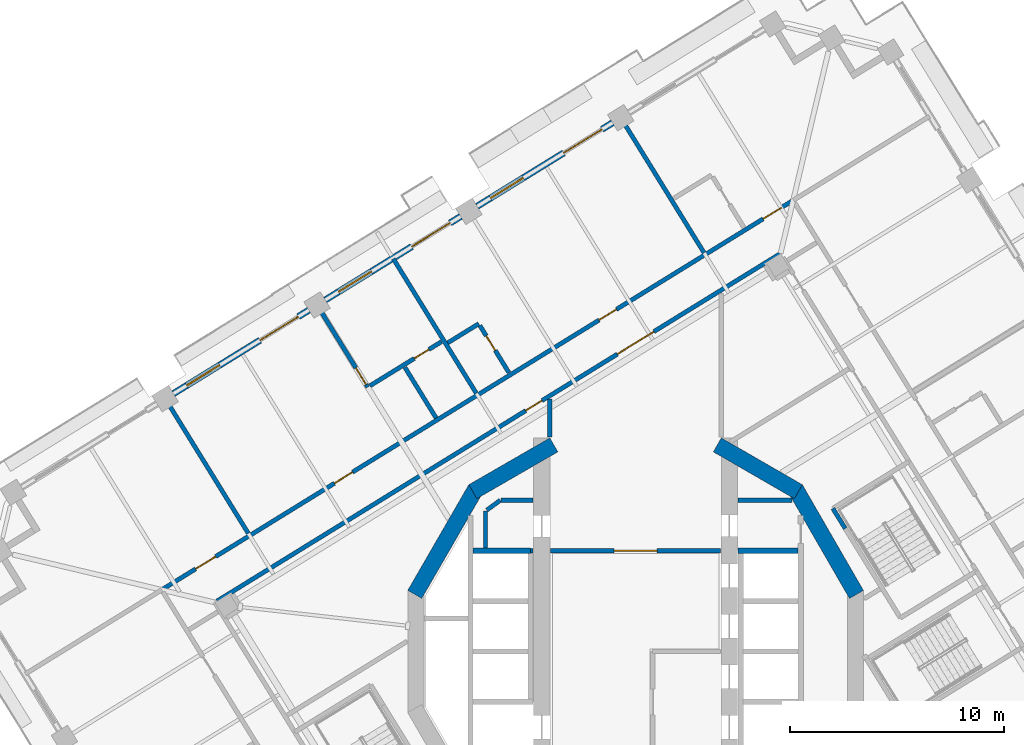
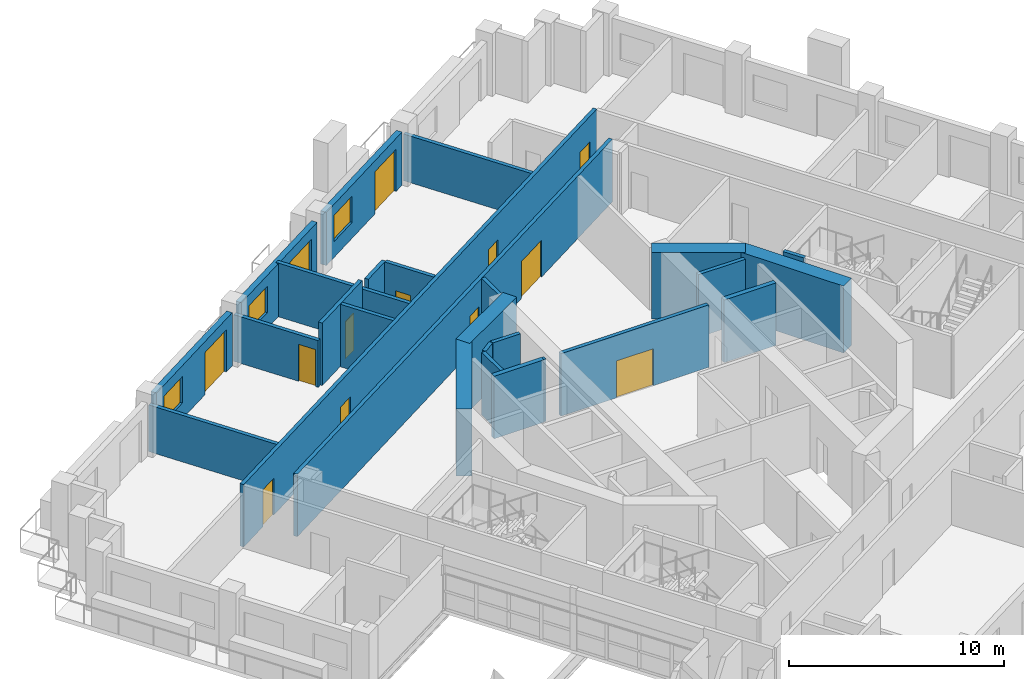
# One storey, part 11 of 22: 27 walls, 13 doors, 3 windows, 16 openings.
"""IFC4 building model written with IfcOpenShell, lengths in metres."""

from ifc_helpers import new_model, si_unit, direction, frame, frame_2d, origin, place, context, subcontext, project, spatial, rectangle, extrude, material, layer, layer_set, type_object, element, fill, save


model = new_model("IFC4")

# Units and contexts
model_context = context("Model", 3, precision=1e-05, world=origin(), true_north=direction((0.0, 1.0)))
body_context = subcontext(model_context, "Body", "Model", "MODEL_VIEW")
ifc_project = project(units=[si_unit("LENGTHUNIT", "METRE"), si_unit("AREAUNIT", "SQUARE_METRE"), si_unit("VOLUMEUNIT", "CUBIC_METRE"), si_unit("PLANEANGLEUNIT", "RADIAN"), si_unit("MASSUNIT", "GRAM", prefix="KILO")], contexts=[model_context])

# Site, building, storey
site_placement = place(None, origin())
site = spatial("IfcSite", under=ifc_project, at=site_placement, CompositionType="ELEMENT")
building_placement = place(site_placement, origin())
building = spatial("IfcBuilding", under=site, at=building_placement, Name="Cantera Rosa Tower", CompositionType="ELEMENT")
storey_placement = place(building_placement, frame((0.0, 0.0, 162.800048828125)))
storey = spatial("IfcBuildingStorey", under=building, at=storey_placement, Name="L35", CompositionType="ELEMENT", Elevation=162.800048828125)

# Wall
ifc_material_1 = material(Name="Gypsum board partition")
ifc_layer_1 = layer(ifc_material_1, 0.199951171875)
ifc_layer_set_1 = layer_set([ifc_layer_1], Name="CORRIDOR WALL 200 H3550")
wall_type_1 = type_object("IfcWallType", Name="CORRIDOR WALL 200 H3550", PredefinedType="PARTITIONING", material=ifc_layer_set_1)
wall_1_placement = place(storey_placement, frame((-4.0, 11.765625, 0.0), z_axis=(0.0, 0.0, 1.0), x_axis=(0.0, -1.0, 0.0)))
element("IfcWall", 1, at=wall_1_placement, inside=storey, type_object=wall_type_1, Name="CORRIDOR WALL L35-059", PredefinedType="PARTITIONING", context=body_context, shape_type="SweptSolid", body=[
    extrude(rectangle(XDim=1.771484375, YDim=0.199951171875, at=frame_2d((0.8857421875, 0.0))), origin(), (0.0, 0.0, 1.0), 3.550048828125),
])

# Wall, opening, door
wall_2_placement = place(storey_placement, frame((-3.969970703125, 4.699951171875, 0.0), z_axis=(0.0, 0.0, 1.0), x_axis=(1.0, 0.0, 0.0)))
wall_2 = element("IfcWall", 2, at=wall_2_placement, inside=storey, type_object=wall_type_1, Name="CORRIDOR WALL L35-060", PredefinedType="PARTITIONING", context=body_context, shape_type="SweptSolid", body=[
    extrude(rectangle(XDim=7.93994140625, YDim=0.199951171875, at=frame_2d((3.969970703125, 0.0))), origin(), (0.0, 0.0, 1.0), 3.550048828125),
])
opening_1_placement = place(wall_2_placement, frame((2.969970703125, 0.0, 0.0)))
opening_1 = element("IfcOpeningElement", 3, at=opening_1_placement, cuts=wall_2, Name="Opening L35-012", PredefinedType="OPENING", context=body_context, shape_type="SweptSolid", body=[
    extrude(rectangle(XDim=2.0, YDim=2.10009765625, at=frame_2d((1.0, 1.050048828125))), frame((0.0, 0.10986328125, 0.0), z_axis=(0.0, -1.0, 0.0), x_axis=(1.0, 0.0, 0.0)), (0.0, 0.0, 1.0), 0.219970703125),
])
ifc_material_2 = material(Name="Steel S355J2 (EN 10025-2)", Category="steel")
door_type_1 = type_object("IfcDoorType", Name="LOBBY SCREEN DOOR 2000x2100", OperationType="NOTDEFINED", PredefinedType="DOOR", material=ifc_material_2)
door_1_placement = place(opening_1_placement, origin())
door_1 = element("IfcDoor", 4, at=door_1_placement, inside=storey, type_object=door_type_1, Name="DOOR L35-012", OperationType="NOTDEFINED", OverallHeight=2.10009765625, OverallWidth=2.0, PredefinedType="DOOR", context=body_context, shape_type="SweptSolid", body=[
    extrude(rectangle(XDim=2.0, YDim=2.10009765625, at=frame_2d((1.0, 1.050048828125))), frame((0.0, 0.02490234375, 0.0), z_axis=(0.0, -1.0, 0.0), x_axis=(1.0, 0.0, 0.0)), (0.0, 0.0, 1.0), 0.050048828125),
])
fill(opening_1, door_1)

# Wall, openings, doors
wall_3_placement = place(storey_placement, frame((6.76123046875, 18.563232421875, 0.0), z_axis=(0.0, 0.0, 1.0), x_axis=(-0.851115762051, -0.524978056292, 0.0)))
wall_3 = element("IfcWall", 5, at=wall_3_placement, inside=storey, type_object=wall_type_1, Name="CORRIDOR WALL L35-086", PredefinedType="PARTITIONING", context=body_context, shape_type="SweptSolid", body=[
    extrude(rectangle(XDim=30.879638671875, YDim=0.199951171875, at=frame_2d((15.43994140625, 0.0))), origin(), (0.0, 0.0, 1.0), 3.550048828125),
])
opening_2_placement = place(wall_3_placement, frame((13.066650390625, 0.0, 0.0)))
opening_2 = element("IfcOpeningElement", 6, at=opening_2_placement, cuts=wall_3, Name="Opening L35-007", PredefinedType="OPENING", context=body_context, shape_type="SweptSolid", body=[
    extrude(rectangle(XDim=0.89990234375, YDim=2.10009765625, at=frame_2d((0.449951171875, 1.050048828125))), frame((0.0, 0.10986328125, 0.0), z_axis=(0.0, -1.0, 0.0), x_axis=(1.0, 0.0, 0.0)), (0.0, 0.0, 1.0), 0.219970703125),
])
opening_3_placement = place(wall_3_placement, frame((6.944091796875, 0.0, 0.0)))
opening_3 = element("IfcOpeningElement", 7, at=opening_3_placement, cuts=wall_3, Name="Opening L35-011", PredefinedType="OPENING", context=body_context, shape_type="SweptSolid", body=[
    extrude(rectangle(XDim=2.0, YDim=2.10009765625, at=frame_2d((1.0, 1.050048828125))), frame((0.0, 0.10986328125, 0.0), z_axis=(0.0, -1.0, 0.0), x_axis=(1.0, 0.0, 0.0)), (0.0, 0.0, 1.0), 0.219970703125),
])
door_2_placement = place(opening_3_placement, origin())
door_2 = element("IfcDoor", 8, at=door_2_placement, inside=storey, type_object=door_type_1, Name="DOOR L35-011", OperationType="NOTDEFINED", OverallHeight=2.10009765625, OverallWidth=2.0, PredefinedType="DOOR", context=body_context, shape_type="SweptSolid", body=[
    extrude(rectangle(XDim=2.0, YDim=2.10009765625, at=frame_2d((1.0, 1.050048828125))), frame((0.0, 0.02490234375, 0.0), z_axis=(0.0, -1.0, 0.0), x_axis=(1.0, 0.0, 0.0)), (0.0, 0.0, 1.0), 0.050048828125),
])
fill(opening_3, door_2)
ifc_material_3 = material(Name="Timber door leaf", Category="wood")
door_type_2 = type_object("IfcDoorType", Name="SERVICE DOOR 900x2100", OperationType="NOTDEFINED", PredefinedType="DOOR", material=ifc_material_3)
door_3_placement = place(opening_2_placement, origin())
door_3 = element("IfcDoor", 9, at=door_3_placement, inside=storey, type_object=door_type_2, Name="DOOR L35-007", OperationType="NOTDEFINED", OverallHeight=2.10009765625, OverallWidth=0.89990234375, PredefinedType="DOOR", context=body_context, shape_type="SweptSolid", body=[
    extrude(rectangle(XDim=0.89990234375, YDim=2.10009765625, at=frame_2d((0.449951171875, 1.050048828125))), frame((0.0, 0.02490234375, 0.0), z_axis=(0.0, -1.0, 0.0), x_axis=(1.0, 0.0, 0.0)), (0.0, 0.0, 1.0), 0.050048828125),
])
fill(opening_2, door_3)

wall_4_placement = place(storey_placement, frame((7.348388671875, 21.040283203125, 0.0), z_axis=(0.0, 0.0, 1.0), x_axis=(-0.85111711572, -0.524975861662, 0.0)))
wall_4 = element("IfcWall", 10, at=wall_4_placement, inside=storey, type_object=wall_type_1, Name="CORRIDOR WALL L35-090", PredefinedType="PARTITIONING", context=body_context, shape_type="SweptSolid", body=[
    extrude(rectangle(XDim=34.599853515625, YDim=0.199951171875, at=frame_2d((17.2998046875, 0.0))), origin(), (0.0, 0.0, 1.0), 3.550048828125),
])
opening_4_placement = place(wall_4_placement, frame((9.68505859375, 0.0, 0.0)))
opening_4 = element("IfcOpeningElement", 11, at=opening_4_placement, cuts=wall_4, Name="Opening L35-028", PredefinedType="OPENING", context=body_context, shape_type="SweptSolid", body=[
    extrude(rectangle(XDim=0.949951171875, YDim=2.10009765625, at=frame_2d((0.47509765625, 1.050048828125))), frame((0.0, 0.10986328125, 0.0), z_axis=(0.0, -1.0, 0.0), x_axis=(1.0, 0.0, 0.0)), (0.0, 0.0, 1.0), 0.219970703125),
])
opening_5_placement = place(wall_4_placement, frame((24.139892578125, 0.0, 0.0)))
opening_5 = element("IfcOpeningElement", 12, at=opening_5_placement, cuts=wall_4, Name="Opening L35-030", PredefinedType="OPENING", context=body_context, shape_type="SweptSolid", body=[
    extrude(rectangle(XDim=1.0, YDim=2.10009765625, at=frame_2d((0.5, 1.050048828125))), frame((0.0, 0.10986328125, 0.0), z_axis=(0.0, -1.0, 0.0), x_axis=(1.0, 0.0, 0.0)), (0.0, 0.0, 1.0), 0.219970703125),
])
opening_6_placement = place(wall_4_placement, frame((0.64990234375, 0.0, 0.0)))
opening_6 = element("IfcOpeningElement", 13, at=opening_6_placement, cuts=wall_4, Name="Opening L35-033", PredefinedType="OPENING", context=body_context, shape_type="SweptSolid", body=[
    extrude(rectangle(XDim=1.0, YDim=2.10009765625, at=frame_2d((0.5, 1.050048828125))), frame((0.0, 0.10986328125, 0.0), z_axis=(0.0, -1.0, 0.0), x_axis=(1.0, 0.0, 0.0)), (0.0, 0.0, 1.0), 0.219970703125),
])
opening_7_placement = place(wall_4_placement, frame((31.639892578125, 0.0, 0.0)))
opening_7 = element("IfcOpeningElement", 14, at=opening_7_placement, cuts=wall_4, Name="Opening L35-035", PredefinedType="OPENING", context=body_context, shape_type="SweptSolid", body=[
    extrude(rectangle(XDim=1.10009765625, YDim=2.10009765625, at=frame_2d((0.550048828125, 1.050048828125))), frame((0.0, 0.10986328125, 0.0), z_axis=(0.0, -1.0, 0.0), x_axis=(1.0, 0.0, 0.0)), (0.0, 0.0, 1.0), 0.219970703125),
])
ifc_material_4 = material(Name="Timber door leaf", Category="wood")
door_type_3 = type_object("IfcDoorType", Name="ENTRANCE DOOR 1000x2100", OperationType="NOTDEFINED", PredefinedType="DOOR", material=ifc_material_4)
door_4_placement = place(opening_5_placement, origin())
door_4 = element("IfcDoor", 15, at=door_4_placement, inside=storey, type_object=door_type_3, Name="DOOR L35-030", OperationType="NOTDEFINED", OverallHeight=2.10009765625, OverallWidth=1.0, PredefinedType="DOOR", context=body_context, shape_type="SweptSolid", body=[
    extrude(rectangle(XDim=1.0, YDim=2.10009765625, at=frame_2d((0.5, 1.050048828125))), frame((0.0, 0.02490234375, 0.0), z_axis=(0.0, -1.0, 0.0), x_axis=(1.0, 0.0, 0.0)), (0.0, 0.0, 1.0), 0.050048828125),
])
fill(opening_5, door_4)
door_5_placement = place(opening_6_placement, origin())
door_5 = element("IfcDoor", 16, at=door_5_placement, inside=storey, type_object=door_type_3, Name="DOOR L35-033", OperationType="NOTDEFINED", OverallHeight=2.10009765625, OverallWidth=1.0, PredefinedType="DOOR", context=body_context, shape_type="SweptSolid", body=[
    extrude(rectangle(XDim=1.0, YDim=2.10009765625, at=frame_2d((0.5, 1.050048828125))), frame((0.0, 0.02490234375, 0.0), z_axis=(0.0, -1.0, 0.0), x_axis=(1.0, 0.0, 0.0)), (0.0, 0.0, 1.0), 0.050048828125),
])
fill(opening_6, door_5)
ifc_material_5 = material(Name="Timber door leaf", Category="wood")
door_type_4 = type_object("IfcDoorType", Name="ROOM DOOR 1100x2100", OperationType="NOTDEFINED", PredefinedType="DOOR", material=ifc_material_5)
door_6_placement = place(opening_7_placement, origin())
door_6 = element("IfcDoor", 17, at=door_6_placement, inside=storey, type_object=door_type_4, Name="DOOR L35-035", OperationType="NOTDEFINED", OverallHeight=2.10009765625, OverallWidth=1.10009765625, PredefinedType="DOOR", context=body_context, shape_type="SweptSolid", body=[
    extrude(rectangle(XDim=1.10009765625, YDim=2.10009765625, at=frame_2d((0.550048828125, 1.050048828125))), frame((0.0, 0.02490234375, 0.0), z_axis=(0.0, -1.0, 0.0), x_axis=(1.0, 0.0, 0.0)), (0.0, 0.0, 1.0), 0.050048828125),
])
fill(opening_7, door_6)
ifc_material_6 = material(Name="Timber door leaf", Category="wood")
door_type_5 = type_object("IfcDoorType", Name="ROOM DOOR 950x2100", OperationType="NOTDEFINED", PredefinedType="DOOR", material=ifc_material_6)
door_7_placement = place(opening_4_placement, origin())
door_7 = element("IfcDoor", 18, at=door_7_placement, inside=storey, type_object=door_type_5, Name="DOOR L35-028", OperationType="NOTDEFINED", OverallHeight=2.10009765625, OverallWidth=0.949951171875, PredefinedType="DOOR", context=body_context, shape_type="SweptSolid", body=[
    extrude(rectangle(XDim=0.949951171875, YDim=2.10009765625, at=frame_2d((0.47509765625, 1.050048828125))), frame((0.0, 0.02490234375, 0.0), z_axis=(0.0, -1.0, 0.0), x_axis=(1.0, 0.0, 0.0)), (0.0, 0.0, 1.0), 0.050048828125),
])
fill(opening_4, door_7)

# Wall, openings, window, door
ifc_material_7 = material(Name="Hollow clay masonry with cantera stone cladding", Category="masonry")
ifc_layer_2 = layer(ifc_material_7, 0.300048828125)
ifc_layer_set_2 = layer_set([ifc_layer_2], Name="EW-LOGGIA 300 H3020")
wall_type_2 = type_object("IfcWallType", Name="EW-LOGGIA 300 H3020", PredefinedType="SOLIDWALL", material=ifc_layer_set_2)
wall_5_placement = place(storey_placement, frame((-1.07421875, 24.656982421875, 0.0), z_axis=(0.0, 0.0, 1.0), x_axis=(-0.85112578684, -0.524961803349, 0.0)))
wall_5 = element("IfcWall", 19, at=wall_5_placement, inside=storey, type_object=wall_type_2, Name="EN-L35-W09", PredefinedType="SOLIDWALL", context=body_context, shape_type="SweptSolid", body=[
    extrude(rectangle(XDim=7.420166015625, YDim=0.300048828125, at=frame_2d((3.7099609375, 0.0))), origin(), (0.0, 0.0, 1.0), 3.02001953125),
])
opening_8_placement = place(wall_5_placement, frame((0.580078125, 0.0, 0.0)))
opening_8 = element("IfcOpeningElement", 20, at=opening_8_placement, cuts=wall_5, Name="Opening L35-TD13", PredefinedType="OPENING", context=body_context, shape_type="SweptSolid", body=[
    extrude(rectangle(XDim=2.10009765625, YDim=2.39990234375, at=frame_2d((1.050048828125, 1.199951171875))), frame((0.0, 0.159912109375, 0.0), z_axis=(0.0, -1.0, 0.0), x_axis=(1.0, 0.0, 0.0)), (0.0, 0.0, 1.0), 0.320068359375),
])
opening_9_placement = place(wall_5_placement, frame((4.889892578125, 0.0, 0.89990234375)))
opening_9 = element("IfcOpeningElement", 21, at=opening_9_placement, cuts=wall_5, Name="Opening L35-W14", PredefinedType="OPENING", context=body_context, shape_type="SweptSolid", body=[
    extrude(rectangle(XDim=1.800048828125, YDim=1.5, at=frame_2d((0.89990234375, 0.75))), frame((0.0, 0.159912109375, 0.0), z_axis=(0.0, -1.0, 0.0), x_axis=(1.0, 0.0, 0.0)), (0.0, 0.0, 1.0), 0.320068359375),
])
ifc_material_8 = material(Name="Aluminium frame with clear glass", Category="aluminium")
window_type = type_object("IfcWindowType", Name="Hotel room window 1800x1500", PartitioningType="DOUBLE_PANEL_VERTICAL", PredefinedType="WINDOW", material=ifc_material_8)
window_1_placement = place(opening_9_placement, origin())
window_1 = element("IfcWindow", 22, at=window_1_placement, inside=storey, type_object=window_type, Name="WINDOW L35-W14", OverallHeight=1.5, OverallWidth=1.800048828125, PartitioningType="SINGLE_PANEL", PredefinedType="WINDOW", context=body_context, shape_type="SweptSolid", body=[
    extrude(rectangle(XDim=1.800048828125, YDim=1.5, at=frame_2d((0.89990234375, 0.75))), frame((0.0, 0.030029296875, 0.0), z_axis=(0.0, -1.0, 0.0), x_axis=(1.0, 0.0, 0.0)), (0.0, 0.0, 1.0), 0.06005859375),
])
fill(opening_9, window_1)
ifc_material_9 = material(Name="Aluminium frame with clear glass", Category="aluminium")
door_type_6 = type_object("IfcDoorType", Name="TD-H 2100x2400", OperationType="NOTDEFINED", PredefinedType="DOOR", material=ifc_material_9)
door_8_placement = place(opening_8_placement, origin())
door_8 = element("IfcDoor", 23, at=door_8_placement, inside=storey, type_object=door_type_6, Name="LOGGIA DOOR L35-TD13", OperationType="SLIDING_TO_LEFT", OverallHeight=2.39990234375, OverallWidth=2.10009765625, PredefinedType="DOOR", context=body_context, shape_type="SweptSolid", body=[
    extrude(rectangle(XDim=2.10009765625, YDim=2.39990234375, at=frame_2d((1.050048828125, 1.199951171875))), frame((0.0, 0.02490234375, 0.0), z_axis=(0.0, -1.0, 0.0), x_axis=(1.0, 0.0, 0.0)), (0.0, 0.0, 1.0), 0.050048828125),
])
fill(opening_8, door_8)

wall_6_placement = place(storey_placement, frame((-8.155517578125, 20.289306640625, 0.0), z_axis=(0.0, 0.0, 1.0), x_axis=(-0.851111085575, -0.524985637909, 0.0)))
wall_6 = element("IfcWall", 24, at=wall_6_placement, inside=storey, type_object=wall_type_2, Name="EN-L35-W10", PredefinedType="SOLIDWALL", context=body_context, shape_type="SweptSolid", body=[
    extrude(rectangle(XDim=7.420166015625, YDim=0.300048828125, at=frame_2d((3.7099609375, 0.0))), origin(), (0.0, 0.0, 1.0), 3.02001953125),
])
opening_10_placement = place(wall_6_placement, frame((0.580078125, 0.0, 0.0)))
opening_10 = element("IfcOpeningElement", 25, at=opening_10_placement, cuts=wall_6, Name="Opening L35-TD15", PredefinedType="OPENING", context=body_context, shape_type="SweptSolid", body=[
    extrude(rectangle(XDim=2.10009765625, YDim=2.39990234375, at=frame_2d((1.050048828125, 1.199951171875))), frame((0.0, 0.159912109375, 0.0), z_axis=(0.0, -1.0, 0.0), x_axis=(1.0, 0.0, 0.0)), (0.0, 0.0, 1.0), 0.320068359375),
])
opening_11_placement = place(wall_6_placement, frame((4.889892578125, 0.0, 0.89990234375)))
opening_11 = element("IfcOpeningElement", 26, at=opening_11_placement, cuts=wall_6, Name="Opening L35-W16", PredefinedType="OPENING", context=body_context, shape_type="SweptSolid", body=[
    extrude(rectangle(XDim=1.800048828125, YDim=1.5, at=frame_2d((0.89990234375, 0.75))), frame((0.0, 0.159912109375, 0.0), z_axis=(0.0, -1.0, 0.0), x_axis=(1.0, 0.0, 0.0)), (0.0, 0.0, 1.0), 0.320068359375),
])
window_2_placement = place(opening_11_placement, origin())
window_2 = element("IfcWindow", 27, at=window_2_placement, inside=storey, type_object=window_type, Name="WINDOW L35-W16", OverallHeight=1.5, OverallWidth=1.800048828125, PartitioningType="SINGLE_PANEL", PredefinedType="WINDOW", context=body_context, shape_type="SweptSolid", body=[
    extrude(rectangle(XDim=1.800048828125, YDim=1.5, at=frame_2d((0.89990234375, 0.75))), frame((0.0, 0.030029296875, 0.0), z_axis=(0.0, -1.0, 0.0), x_axis=(1.0, 0.0, 0.0)), (0.0, 0.0, 1.0), 0.06005859375),
])
fill(opening_11, window_2)
door_9_placement = place(opening_10_placement, origin())
door_9 = element("IfcDoor", 28, at=door_9_placement, inside=storey, type_object=door_type_6, Name="LOGGIA DOOR L35-TD15", OperationType="SLIDING_TO_LEFT", OverallHeight=2.39990234375, OverallWidth=2.10009765625, PredefinedType="DOOR", context=body_context, shape_type="SweptSolid", body=[
    extrude(rectangle(XDim=2.10009765625, YDim=2.39990234375, at=frame_2d((1.050048828125, 1.199951171875))), frame((0.0, 0.02490234375, 0.0), z_axis=(0.0, -1.0, 0.0), x_axis=(1.0, 0.0, 0.0)), (0.0, 0.0, 1.0), 0.050048828125),
])
fill(opening_10, door_9)

wall_7_placement = place(storey_placement, frame((-15.23681640625, 15.92138671875, 0.0), z_axis=(0.0, 0.0, 1.0), x_axis=(-0.85112578684, -0.524961803349, 0.0)))
wall_7 = element("IfcWall", 29, at=wall_7_placement, inside=storey, type_object=wall_type_2, Name="EN-L35-W11", PredefinedType="SOLIDWALL", context=body_context, shape_type="SweptSolid", body=[
    extrude(rectangle(XDim=7.420166015625, YDim=0.300048828125, at=frame_2d((3.7099609375, 0.0))), origin(), (0.0, 0.0, 1.0), 3.02001953125),
])
opening_12_placement = place(wall_7_placement, frame((0.580078125, 0.0, 0.0)))
opening_12 = element("IfcOpeningElement", 30, at=opening_12_placement, cuts=wall_7, Name="Opening L35-TD17", PredefinedType="OPENING", context=body_context, shape_type="SweptSolid", body=[
    extrude(rectangle(XDim=2.10009765625, YDim=2.39990234375, at=frame_2d((1.050048828125, 1.199951171875))), frame((0.0, 0.159912109375, 0.0), z_axis=(0.0, -1.0, 0.0), x_axis=(1.0, 0.0, 0.0)), (0.0, 0.0, 1.0), 0.320068359375),
])
opening_13_placement = place(wall_7_placement, frame((4.889892578125, 0.0, 0.89990234375)))
opening_13 = element("IfcOpeningElement", 31, at=opening_13_placement, cuts=wall_7, Name="Opening L35-W18", PredefinedType="OPENING", context=body_context, shape_type="SweptSolid", body=[
    extrude(rectangle(XDim=1.800048828125, YDim=1.5, at=frame_2d((0.89990234375, 0.75))), frame((0.0, 0.159912109375, 0.0), z_axis=(0.0, -1.0, 0.0), x_axis=(1.0, 0.0, 0.0)), (0.0, 0.0, 1.0), 0.320068359375),
])
window_3_placement = place(opening_13_placement, origin())
window_3 = element("IfcWindow", 32, at=window_3_placement, inside=storey, type_object=window_type, Name="WINDOW L35-W18", OverallHeight=1.5, OverallWidth=1.800048828125, PartitioningType="SINGLE_PANEL", PredefinedType="WINDOW", context=body_context, shape_type="SweptSolid", body=[
    extrude(rectangle(XDim=1.800048828125, YDim=1.5, at=frame_2d((0.89990234375, 0.75))), frame((0.0, 0.030029296875, 0.0), z_axis=(0.0, -1.0, 0.0), x_axis=(1.0, 0.0, 0.0)), (0.0, 0.0, 1.0), 0.06005859375),
])
fill(opening_13, window_3)
door_10_placement = place(opening_12_placement, origin())
door_10 = element("IfcDoor", 33, at=door_10_placement, inside=storey, type_object=door_type_6, Name="LOGGIA DOOR L35-TD17", OperationType="SLIDING_TO_LEFT", OverallHeight=2.39990234375, OverallWidth=2.10009765625, PredefinedType="DOOR", context=body_context, shape_type="SweptSolid", body=[
    extrude(rectangle(XDim=2.10009765625, YDim=2.39990234375, at=frame_2d((1.050048828125, 1.199951171875))), frame((0.0, 0.02490234375, 0.0), z_axis=(0.0, -1.0, 0.0), x_axis=(1.0, 0.0, 0.0)), (0.0, 0.0, 1.0), 0.050048828125),
])
fill(opening_12, door_10)

# Wall, opening, door
ifc_material_10 = material(Name="Gypsum board partition")
ifc_layer_3 = layer(ifc_material_10, 0.199951171875)
ifc_layer_set_3 = layer_set([ifc_layer_3], Name="PARTITION 200 H2650")
wall_type_3 = type_object("IfcWallType", Name="PARTITION 200 H2650", PredefinedType="PARTITIONING", material=ifc_layer_set_3)
wall_8_placement = place(storey_placement, frame((-12.491455078125, 12.32763671875, 0.0), z_axis=(0.0, 0.0, 1.0), x_axis=(-0.524986965499, 0.851110266685, 0.0)))
wall_8 = element("IfcWall", 34, at=wall_8_placement, inside=storey, type_object=wall_type_3, Name="PARTITION L35-019", PredefinedType="PARTITIONING", context=body_context, shape_type="SweptSolid", body=[
    extrude(rectangle(XDim=4.469970703125, YDim=0.199951171875, at=frame_2d((2.23486328125, 0.0))), origin(), (0.0, 0.0, 1.0), 2.64990234375),
])
opening_14_placement = place(wall_8_placement, frame((0.14990234375, 0.0, 0.0)))
opening_14 = element("IfcOpeningElement", 35, at=opening_14_placement, cuts=wall_8, Name="Opening L35-031", PredefinedType="OPENING", context=body_context, shape_type="SweptSolid", body=[
    extrude(rectangle(XDim=0.89990234375, YDim=2.10009765625, at=frame_2d((0.449951171875, 1.050048828125))), frame((0.0, 0.10986328125, 0.0), z_axis=(0.0, -1.0, 0.0), x_axis=(1.0, 0.0, 0.0)), (0.0, 0.0, 1.0), 0.219970703125),
])
ifc_material_11 = material(Name="Timber door leaf", Category="wood")
door_type_7 = type_object("IfcDoorType", Name="ROOM DOOR 900x2100", OperationType="NOTDEFINED", PredefinedType="DOOR", material=ifc_material_11)
door_11_placement = place(opening_14_placement, origin())
door_11 = element("IfcDoor", 36, at=door_11_placement, inside=storey, type_object=door_type_7, Name="DOOR L35-031", OperationType="NOTDEFINED", OverallHeight=2.10009765625, OverallWidth=0.89990234375, PredefinedType="DOOR", context=body_context, shape_type="SweptSolid", body=[
    extrude(rectangle(XDim=0.89990234375, YDim=2.10009765625, at=frame_2d((0.449951171875, 1.050048828125))), frame((0.0, 0.02490234375, 0.0), z_axis=(0.0, -1.0, 0.0), x_axis=(1.0, 0.0, 0.0)), (0.0, 0.0, 1.0), 0.050048828125),
])
fill(opening_14, door_11)

# Wall
ifc_material_12 = material(Name="Gypsum board partition")
ifc_layer_4 = layer(ifc_material_12, 0.199951171875)
ifc_layer_set_4 = layer_set([ifc_layer_4], Name="PARTITION 200 H3550")
wall_type_4 = type_object("IfcWallType", Name="PARTITION 200 H3550", PredefinedType="PARTITIONING", material=ifc_layer_set_4)
wall_9_placement = place(storey_placement, frame((-9.30078125, 10.888427734375, 0.0), z_axis=(0.0, 0.0, 1.0), x_axis=(-0.525008529336, 0.851096965172, 0.0)))
element("IfcWall", 37, at=wall_9_placement, inside=storey, type_object=wall_type_4, Name="PARTITION L35-026", PredefinedType="PARTITIONING", context=body_context, shape_type="SweptSolid", body=[
    extrude(rectangle(XDim=2.77978515625, YDim=0.199951171875, at=frame_2d((1.389892578125, 0.0))), origin(), (0.0, 0.0, 1.0), 3.550048828125),
])

# Wall, opening, door
wall_10_placement = place(storey_placement, frame((-9.052978515625, 14.448486328125, 0.0), z_axis=(0.0, 0.0, 1.0), x_axis=(-0.851125418934, -0.524962399839, 0.0)))
wall_10 = element("IfcWall", 38, at=wall_10_placement, inside=storey, type_object=wall_type_4, Name="PARTITION L35-028", PredefinedType="PARTITIONING", context=body_context, shape_type="SweptSolid", body=[
    extrude(rectangle(XDim=3.919921875, YDim=0.199951171875, at=frame_2d((1.9599609375, 0.0))), origin(), (0.0, 0.0, 1.0), 3.550048828125),
])
opening_15_placement = place(wall_10_placement, frame((0.68994140625, 0.0, 0.0)))
opening_15 = element("IfcOpeningElement", 39, at=opening_15_placement, cuts=wall_10, Name="Opening L35-032", PredefinedType="OPENING", context=body_context, shape_type="SweptSolid", body=[
    extrude(rectangle(XDim=0.800048828125, YDim=2.10009765625, at=frame_2d((0.39990234375, 1.050048828125))), frame((0.0, 0.10986328125, 0.0), z_axis=(0.0, -1.0, 0.0), x_axis=(1.0, 0.0, 0.0)), (0.0, 0.0, 1.0), 0.219970703125),
])
ifc_material_13 = material(Name="Timber door leaf", Category="wood")
door_type_8 = type_object("IfcDoorType", Name="BATHROOM DOOR 800x2100", OperationType="NOTDEFINED", PredefinedType="DOOR", material=ifc_material_13)
door_12_placement = place(opening_15_placement, origin())
door_12 = element("IfcDoor", 40, at=door_12_placement, inside=storey, type_object=door_type_8, Name="DOOR L35-032", OperationType="NOTDEFINED", OverallHeight=2.10009765625, OverallWidth=0.800048828125, PredefinedType="DOOR", context=body_context, shape_type="SweptSolid", body=[
    extrude(rectangle(XDim=0.800048828125, YDim=2.10009765625, at=frame_2d((0.39990234375, 1.050048828125))), frame((0.0, 0.02490234375, 0.0), z_axis=(0.0, -1.0, 0.0), x_axis=(1.0, 0.0, 0.0)), (0.0, 0.0, 1.0), 0.050048828125),
])
fill(opening_15, door_12)

# Wall
wall_11_placement = place(storey_placement, frame((-8.7607421875, 14.393798828125, 0.0), z_axis=(0.0, 0.0, 1.0), x_axis=(0.851105638601, 0.524994468487, 0.0)))
element("IfcWall", 41, at=wall_11_placement, inside=storey, type_object=wall_type_4, Name="PARTITION L35-029", PredefinedType="PARTITIONING", context=body_context, shape_type="SweptSolid", body=[
    extrude(rectangle(XDim=1.7001953125, YDim=0.199951171875, at=frame_2d((0.85009765625, 0.0))), origin(), (0.0, 0.0, 1.0), 3.550048828125),
])

# Wall, opening, door
wall_12_placement = place(storey_placement, frame((-7.26123046875, 15.201171875, 0.0), z_axis=(0.0, 0.0, 1.0), x_axis=(0.524936695429, -0.851141272523, 0.0)))
wall_12 = element("IfcWall", 42, at=wall_12_placement, inside=storey, type_object=wall_type_4, Name="PARTITION L35-041", PredefinedType="PARTITIONING", context=body_context, shape_type="SweptSolid", body=[
    extrude(rectangle(XDim=2.579833984375, YDim=0.199951171875, at=frame_2d((1.2900390625, 0.0))), origin(), (0.0, 0.0, 1.0), 3.550048828125),
])
opening_16_placement = place(wall_12_placement, frame((0.56396484375, 0.0, 0.0)))
opening_16 = element("IfcOpeningElement", 43, at=opening_16_placement, cuts=wall_12, Name="Opening L35-029", PredefinedType="OPENING", context=body_context, shape_type="SweptSolid", body=[
    extrude(rectangle(XDim=0.800048828125, YDim=2.10009765625, at=frame_2d((0.39990234375, 1.050048828125))), frame((0.0, 0.10986328125, 0.0), z_axis=(0.0, -1.0, 0.0), x_axis=(1.0, 0.0, 0.0)), (0.0, 0.0, 1.0), 0.219970703125),
])
door_13_placement = place(opening_16_placement, origin())
door_13 = element("IfcDoor", 44, at=door_13_placement, inside=storey, type_object=door_type_8, Name="DOOR L35-029", OperationType="NOTDEFINED", OverallHeight=2.10009765625, OverallWidth=0.800048828125, PredefinedType="DOOR", context=body_context, shape_type="SweptSolid", body=[
    extrude(rectangle(XDim=0.800048828125, YDim=2.10009765625, at=frame_2d((0.39990234375, 1.050048828125))), frame((0.0, 0.02490234375, 0.0), z_axis=(0.0, -1.0, 0.0), x_axis=(1.0, 0.0, 0.0)), (0.0, 0.0, 1.0), 0.050048828125),
])
fill(opening_16, door_13)

# Walls
wall_13_placement = place(storey_placement, frame((-7.0, 4.824951171875, 0.0), z_axis=(0.0, 0.0, 1.0), x_axis=(0.0, 1.0, 0.0)))
element("IfcWall", 45, at=wall_13_placement, inside=storey, type_object=wall_type_4, Name="PARTITION L35-044", PredefinedType="PARTITIONING", context=body_context, shape_type="SweptSolid", body=[
    extrude(rectangle(XDim=1.72509765625, YDim=0.199951171875, at=frame_2d((0.862548828125, 0.0))), origin(), (0.0, 0.0, 1.0), 3.550048828125),
])
wall_14_placement = place(storey_placement, frame((-6.935302734375, 6.59716796875, 0.0), z_axis=(0.0, 0.0, 1.0), x_axis=(0.808227862651, 0.588869868506, 0.0)))
element("IfcWall", 46, at=wall_14_placement, inside=storey, type_object=wall_type_4, Name="PARTITION L35-045", PredefinedType="PARTITIONING", context=body_context, shape_type="SweptSolid", body=[
    extrude(rectangle(XDim=0.76904296875, YDim=0.199951171875, at=frame_2d((0.384521484375, 0.0))), origin(), (0.0, 0.0, 1.0), 3.550048828125),
])
wall_15_placement = place(storey_placement, frame((-6.273681640625, 7.050048828125, 0.0), z_axis=(0.0, 0.0, 1.0), x_axis=(1.0, 0.0, 0.0)))
element("IfcWall", 47, at=wall_15_placement, inside=storey, type_object=wall_type_4, Name="PARTITION L35-049", PredefinedType="PARTITIONING", context=body_context, shape_type="SweptSolid", body=[
    extrude(rectangle(XDim=1.49365234375, YDim=0.199951171875, at=frame_2d((0.746826171875, 0.0))), origin(), (0.0, 0.0, 1.0), 3.550048828125),
])
wall_16_placement = place(storey_placement, frame((-4.780029296875, 4.699951171875, 0.0), z_axis=(0.0, 0.0, 1.0), x_axis=(-1.0, 0.0, 0.0)))
element("IfcWall", 48, at=wall_16_placement, inside=storey, type_object=wall_type_4, Name="PARTITION L35-054", PredefinedType="PARTITIONING", context=body_context, shape_type="SweptSolid", body=[
    extrude(rectangle(XDim=0.119873046875, YDim=0.199951171875, at=frame_2d((0.06005859375, 0.0))), origin(), (0.0, 0.0, 1.0), 3.550048828125),
])
wall_17_placement = place(storey_placement, frame((4.780029296875, 7.050048828125, 0.0), z_axis=(0.0, 0.0, 1.0), x_axis=(1.0, 0.0, 0.0)))
element("IfcWall", 49, at=wall_17_placement, inside=storey, type_object=wall_type_4, Name="PARTITION L35-081", PredefinedType="PARTITIONING", context=body_context, shape_type="SweptSolid", body=[
    extrude(rectangle(XDim=2.517822265625, YDim=0.199951171875, at=frame_2d((1.2587890625, 0.0))), origin(), (0.0, 0.0, 1.0), 3.550048828125),
])
ifc_material_14 = material(Name="Gypsum board partition")
ifc_layer_5 = layer(ifc_material_14, 0.199951171875)
ifc_layer_set_5 = layer_set([ifc_layer_5], Name="PARTY WALL 200 H2650")
wall_type_5 = type_object("IfcWallType", Name="PARTY WALL 200 H2650", PredefinedType="PARTITIONING", material=ifc_layer_set_5)
wall_18_placement = place(storey_placement, frame((-18.060791015625, 5.508544921875, 0.0), z_axis=(0.0, 0.0, 1.0), x_axis=(-0.524973728225, 0.851118431638, 0.0)))
element("IfcWall", 50, at=wall_18_placement, inside=storey, type_object=wall_type_5, Name="PARTY WALL L35-012", PredefinedType="PARTITIONING", context=body_context, shape_type="SweptSolid", body=[
    extrude(rectangle(XDim=7.35009765625, YDim=0.199951171875, at=frame_2d((3.675048828125, 0.0))), origin(), (0.0, 0.0, 1.0), 2.64990234375),
])
wall_19_placement = place(storey_placement, frame((-0.675537109375, 24.86767578125, 0.0), z_axis=(0.0, 0.0, 1.0), x_axis=(0.52498429839, -0.851111911821, 0.0)))
element("IfcWall", 51, at=wall_19_placement, inside=storey, type_object=wall_type_5, Name="PARTY WALL L35-063", PredefinedType="PARTITIONING", context=body_context, shape_type="SweptSolid", body=[
    extrude(rectangle(XDim=7.3701171875, YDim=0.199951171875, at=frame_2d((3.68505859375, 0.0))), origin(), (0.0, 0.0, 1.0), 2.64990234375),
])
ifc_material_15 = material(Name="Gypsum board partition")
ifc_layer_6 = layer(ifc_material_15, 0.199951171875)
ifc_layer_set_6 = layer_set([ifc_layer_6], Name="PARTY WALL 200 H3050")
wall_type_6 = type_object("IfcWallType", Name="PARTY WALL 200 H3050", PredefinedType="PARTITIONING", material=ifc_layer_set_6)
wall_20_placement = place(storey_placement, frame((-7.428466796875, 12.043212890625, 0.0), z_axis=(0.0, 0.0, 1.0), x_axis=(-0.52498429839, 0.851111911821, 0.0)))
element("IfcWall", 52, at=wall_20_placement, inside=storey, type_object=wall_type_6, Name="PARTY WALL L35-039", PredefinedType="PARTITIONING", context=body_context, shape_type="SweptSolid", body=[
    extrude(rectangle(XDim=7.3701171875, YDim=0.199951171875, at=frame_2d((3.68505859375, 0.0))), origin(), (0.0, 0.0, 1.0), 3.050048828125),
])
ifc_material_16 = material(Name="Concrete C60/75", Category="concrete")
ifc_layer_7 = layer(ifc_material_16, 0.75)
ifc_layer_set_7 = layer_set([ifc_layer_7], Name="RC CORE WALL 750 C60/75")
wall_type_7 = type_object("IfcWallType", Name="RC CORE WALL 750 C60/75", PredefinedType="SHEAR", material=ifc_layer_set_7)
wall_21_placement = place(storey_placement, frame((-10.300537109375, 2.659423828125, 0.0), z_axis=(0.0, 0.0, 1.0), x_axis=(0.500021842983, 0.866012792365, 0.0)))
element("IfcWall", 53, at=wall_21_placement, inside=storey, type_object=wall_type_7, Name="CW-W4 L35", PredefinedType="SHEAR", context=body_context, shape_type="SweptSolid", body=[
    extrude(rectangle(XDim=5.694091796875, YDim=0.75, at=frame_2d((2.84716796875, 0.0))), origin(), (0.0, 0.0, 1.0), 3.800048828125),
])
for number, where, z_axis, x_axis, name in (
    (54, (-7.590576171875, 7.453369140625, 0.0), (0.0, 0.0, 1.0), (0.866013176292, 0.50002117804, 0.0), "CW-W5 L35"),
    (55, (3.8125, 9.634765625, 0.0), (0.0, 0.0, 1.0), (0.866013176292, -0.50002117804, 0.0), "CW-E1 L35"),
):
    element("IfcWall", number, at=place(storey_placement, frame(where, z_axis=z_axis, x_axis=x_axis)), inside=storey, type_object=wall_type_7, Name=name, PredefinedType="SHEAR", context=body_context, shape_type="SweptSolid", body=[
        extrude(rectangle(XDim=4.362548828125, YDim=0.75, at=frame_2d((2.18115234375, 0.0))), origin(), (0.0, 0.0, 1.0), 3.800048828125),
    ])
wall_22_placement = place(storey_placement, frame((7.453369140625, 7.590576171875, 0.0), z_axis=(0.0, 0.0, 1.0), x_axis=(0.500021842983, -0.866012792365, 0.0)))
element("IfcWall", 56, at=wall_22_placement, inside=storey, type_object=wall_type_7, Name="CW-E2 L35", PredefinedType="SHEAR", context=body_context, shape_type="SweptSolid", body=[
    extrude(rectangle(XDim=5.694091796875, YDim=0.75, at=frame_2d((2.84716796875, 0.0))), origin(), (0.0, 0.0, 1.0), 3.800048828125),
])
ifc_material_17 = material(Name="Masonry blockwork", Category="masonry")
ifc_layer_8 = layer(ifc_material_17, 0.25)
ifc_layer_set_8 = layer_set([ifc_layer_8], Name="SHAFT WALL 250 H3550")
wall_type_8 = type_object("IfcWallType", Name="SHAFT WALL 250 H3550", PredefinedType="SOLIDWALL", material=ifc_layer_set_8)
wall_23_placement = place(storey_placement, frame((-7.574951171875, 4.699951171875, 0.0), z_axis=(0.0, 0.0, 1.0), x_axis=(1.0, 0.0, 0.0)))
element("IfcWall", 57, at=wall_23_placement, inside=storey, type_object=wall_type_8, Name="SHAFT WALL L35-037", PredefinedType="SOLIDWALL", context=body_context, shape_type="SweptSolid", body=[
    extrude(rectangle(XDim=2.675048828125, YDim=0.25, at=frame_2d((1.33740234375, 0.0))), origin(), (0.0, 0.0, 1.0), 3.550048828125),
])
wall_24_placement = place(storey_placement, frame((4.780029296875, 4.699951171875, 0.0), z_axis=(0.0, 0.0, 1.0), x_axis=(1.0, 0.0, 0.0)))
element("IfcWall", 58, at=wall_24_placement, inside=storey, type_object=wall_type_8, Name="SHAFT WALL L35-080", PredefinedType="SOLIDWALL", context=body_context, shape_type="SweptSolid", body=[
    extrude(rectangle(XDim=2.794921875, YDim=0.25, at=frame_2d((1.3974609375, 0.0))), origin(), (0.0, 0.0, 1.0), 3.550048828125),
])
ifc_material_18 = material(Name="Concrete C50/60", Category="concrete")
ifc_layer_9 = layer(ifc_material_18, 0.199951171875)
ifc_layer_set_9 = layer_set([ifc_layer_9], Name="STAIR WALL 200 H3550")
wall_type_9 = type_object("IfcWallType", Name="STAIR WALL 200 H3550", PredefinedType="SOLIDWALL", material=ifc_layer_set_9)
wall_25_placement = place(storey_placement, frame((9.199462890625, 6.674072265625, 0.0), z_axis=(0.0, 0.0, 1.0), x_axis=(0.524902102766, -0.851162606387, 0.0)))
element("IfcWall", 59, at=wall_25_placement, inside=storey, type_object=wall_type_9, Name="STAIR WALL L35-097", PredefinedType="SOLIDWALL", context=body_context, shape_type="SweptSolid", body=[
    extrude(rectangle(XDim=1.10009765625, YDim=0.199951171875, at=frame_2d((0.550048828125, 0.0))), origin(), (0.0, 0.0, 1.0), 3.550048828125),
])

save(model, "model.ifc")
